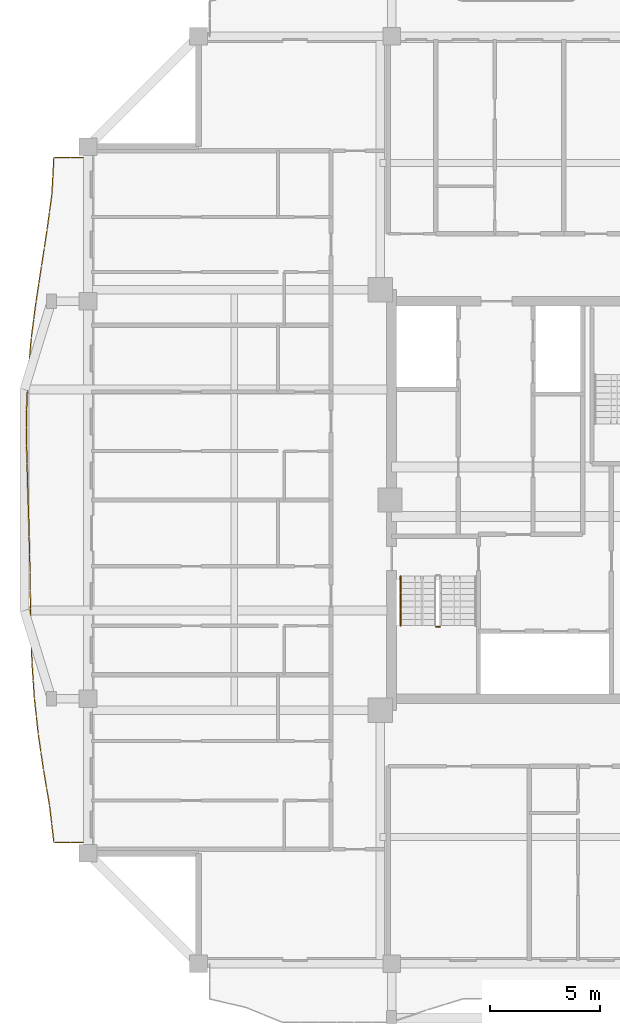
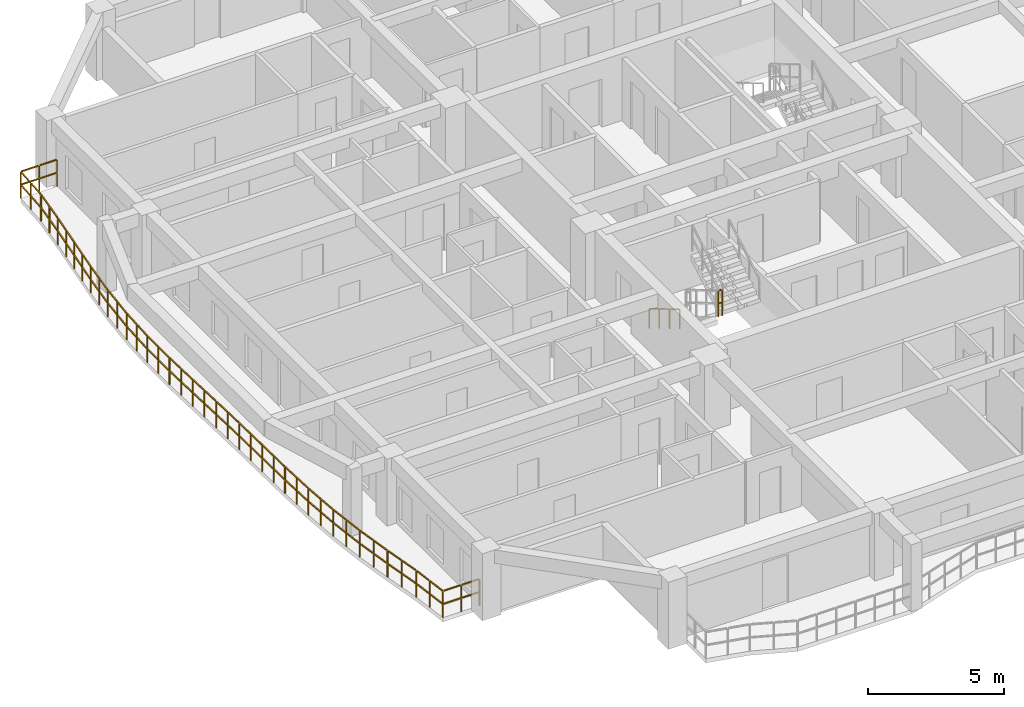
# One storey, part 10 of 13: 3 railings.
"""IFC4 building model written with IfcOpenShell, lengths in metres."""

from ifc_helpers import new_model, si_unit, direction, frame, origin, origin_2d, place, context, subcontext, project, spatial, rectangle, extrude, material, type_object, element, save


model = new_model("IFC4")

# Units and contexts
model_context = context("Model", 3, precision=1e-05, world=origin(), true_north=direction((0.0, 1.0)))
body_context = subcontext(model_context, "Body", "Model", "MODEL_VIEW")
ifc_project = project(units=[si_unit("LENGTHUNIT", "METRE"), si_unit("AREAUNIT", "SQUARE_METRE"), si_unit("VOLUMEUNIT", "CUBIC_METRE"), si_unit("PLANEANGLEUNIT", "RADIAN"), si_unit("MASSUNIT", "GRAM", prefix="KILO")], contexts=[model_context])

# Site, building, storey
site_placement = place(None, origin())
site = spatial("IfcSite", under=ifc_project, at=site_placement, CompositionType="ELEMENT")
building_placement = place(site_placement, origin())
building = spatial("IfcBuilding", under=site, at=building_placement, Name="Saelheon Loggia Tower", CompositionType="ELEMENT")
storey_placement = place(building_placement, frame((0.0, 0.0, 189.699951171875)))
storey = spatial("IfcBuildingStorey", under=building, at=storey_placement, Name="L59", CompositionType="ELEMENT", Elevation=189.699951171875)

# Railings
ifc_material_1 = material(Name="Architectural Precast Concrete and Laminated Glass Guard", Category="concrete")
railing_type_1 = type_object("IfcRailingType", Name="Guard_Loggia_RL_LOG", PredefinedType="BALUSTRADE", material=ifc_material_1)
railing_1_placement = place(storey_placement, frame((17.75, 42.5, 0.0)))
element("IfcRailing", 1, at=railing_1_placement, inside=storey, type_object=railing_type_1, Name="L59 West Loggia Balustrade", PredefinedType="BALUSTRADE", context=body_context, shape_type="SweptSolid", body=[
    extrude(rectangle(XDim=0.048095703125, YDim=0.048095703125, at=origin_2d()), frame((-0.033203125, 0.0, 1.19580078125), z_axis=(-1.0, 0.0, 0.0), x_axis=(0.0, -1.0, 0.0)), (0.0, 0.0, 1.0), 0.70849609375),
    extrude(rectangle(XDim=0.048095703125, YDim=0.048095703125, at=origin_2d()), frame((-0.033203125, 0.0, 0.60986328125), z_axis=(-1.0, 0.0, 0.0), x_axis=(0.0, -1.0, 0.0)), (0.0, 0.0, 1.0), 0.70849609375),
    extrude(rectangle(XDim=0.048095703125, YDim=0.048095703125, at=origin_2d()), frame((-0.808349609375, 0.0, 1.19580078125), z_axis=(-1.0, 0.0, 0.0), x_axis=(0.0, -1.0, 0.0)), (0.0, 0.0, 1.0), 0.70849609375),
    extrude(rectangle(XDim=0.048095703125, YDim=0.048095703125, at=origin_2d()), frame((-0.808349609375, 0.0, 0.60986328125), z_axis=(-1.0, 0.0, 0.0), x_axis=(0.0, -1.0, 0.0)), (0.0, 0.0, 1.0), 0.70849609375),
    extrude(rectangle(XDim=0.048095703125, YDim=0.048095703125, at=origin_2d()), frame((-1.5517578125, -0.033203125, 1.19580078125), z_axis=(-0.052598047159, -0.998615764664, 0.0), x_axis=(0.998615764664, -0.052598047159, 0.0)), (0.0, 0.0, 1.0), 0.75048828125),
    extrude(rectangle(XDim=0.048095703125, YDim=0.048095703125, at=origin_2d()), frame((-1.5517578125, -0.033203125, 0.60986328125), z_axis=(-0.052598047159, -0.998615764664, 0.0), x_axis=(0.998615764664, -0.052598047159, 0.0)), (0.0, 0.0, 1.0), 0.75048828125),
    extrude(rectangle(XDim=0.048095703125, YDim=0.048095703125, at=origin_2d()), frame((-1.5947265625, -0.848876953125, 1.19580078125), z_axis=(-0.052598047159, -0.998615764664, 0.0), x_axis=(0.998615764664, -0.052598047159, 0.0)), (0.0, 0.0, 1.0), 0.75048828125),
    extrude(rectangle(XDim=0.048095703125, YDim=0.048095703125, at=origin_2d()), frame((-1.5947265625, -0.848876953125, 0.60986328125), z_axis=(-0.052598047159, -0.998615764664, 0.0), x_axis=(0.998615764664, -0.052598047159, 0.0)), (0.0, 0.0, 1.0), 0.75048828125),
    extrude(rectangle(XDim=0.048095703125, YDim=0.048095703125, at=origin_2d()), frame((-1.640380859375, -1.66455078125, 1.19580078125), z_axis=(-0.134484591682, -0.99091568491, 0.0), x_axis=(0.99091568491, -0.134484591682, 0.0)), (0.0, 0.0, 1.0), 0.7568359375),
    extrude(rectangle(XDim=0.048095703125, YDim=0.048095703125, at=origin_2d()), frame((-1.640380859375, -1.66455078125, 0.60986328125), z_axis=(-0.134484591682, -0.99091568491, 0.0), x_axis=(0.99091568491, -0.134484591682, 0.0)), (0.0, 0.0, 1.0), 0.7568359375),
    extrude(rectangle(XDim=0.048095703125, YDim=0.048095703125, at=origin_2d()), frame((-1.751220703125, -2.480224609375, 1.19580078125), z_axis=(-0.134484591682, -0.99091568491, 0.0), x_axis=(0.99091568491, -0.134484591682, 0.0)), (0.0, 0.0, 1.0), 0.7568359375),
    extrude(rectangle(XDim=0.048095703125, YDim=0.048095703125, at=origin_2d()), frame((-1.751220703125, -2.480224609375, 0.60986328125), z_axis=(-0.134484591682, -0.99091568491, 0.0), x_axis=(0.99091568491, -0.134484591682, 0.0)), (0.0, 0.0, 1.0), 0.7568359375),
    extrude(rectangle(XDim=0.048095703125, YDim=0.048095703125, at=origin_2d()), frame((-1.862548828125, -3.296142578125, 1.19580078125), z_axis=(-0.152323888709, -0.988330629359, 0.0), x_axis=(0.988330629359, -0.152323888709, 0.0)), (0.0, 0.0, 1.0), 0.759033203125),
    extrude(rectangle(XDim=0.048095703125, YDim=0.048095703125, at=origin_2d()), frame((-1.862548828125, -3.296142578125, 0.60986328125), z_axis=(-0.152323888709, -0.988330629359, 0.0), x_axis=(0.988330629359, -0.152323888709, 0.0)), (0.0, 0.0, 1.0), 0.759033203125),
    extrude(rectangle(XDim=0.048095703125, YDim=0.048095703125, at=origin_2d()), frame((-1.98828125, -4.11181640625, 1.19580078125), z_axis=(-0.152323888709, -0.988330629359, 0.0), x_axis=(0.988330629359, -0.152323888709, 0.0)), (0.0, 0.0, 1.0), 0.759033203125),
    extrude(rectangle(XDim=0.048095703125, YDim=0.048095703125, at=origin_2d()), frame((-1.98828125, -4.11181640625, 0.60986328125), z_axis=(-0.152323888709, -0.988330629359, 0.0), x_axis=(0.988330629359, -0.152323888709, 0.0)), (0.0, 0.0, 1.0), 0.759033203125),
    extrude(rectangle(XDim=0.048095703125, YDim=0.048095703125, at=origin_2d()), frame((-2.114013671875, -4.927734375, 1.19580078125), z_axis=(-0.151601487322, -0.988441697341, 0.0), x_axis=(0.988441697341, -0.151601487322, 0.0)), (0.0, 0.0, 1.0), 0.7587890625),
    extrude(rectangle(XDim=0.048095703125, YDim=0.048095703125, at=origin_2d()), frame((-2.114013671875, -4.927734375, 0.60986328125), z_axis=(-0.151601487322, -0.988441697341, 0.0), x_axis=(0.988441697341, -0.151601487322, 0.0)), (0.0, 0.0, 1.0), 0.7587890625),
    extrude(rectangle(XDim=0.048095703125, YDim=0.048095703125, at=origin_2d()), frame((-2.239013671875, -5.743408203125, 1.19580078125), z_axis=(-0.151601487322, -0.988441697341, 0.0), x_axis=(0.988441697341, -0.151601487322, 0.0)), (0.0, 0.0, 1.0), 0.7587890625),
    extrude(rectangle(XDim=0.048095703125, YDim=0.048095703125, at=origin_2d()), frame((-2.239013671875, -5.743408203125, 0.60986328125), z_axis=(-0.151601487322, -0.988441697341, 0.0), x_axis=(0.988441697341, -0.151601487322, 0.0)), (0.0, 0.0, 1.0), 0.7587890625),
    extrude(rectangle(XDim=0.048095703125, YDim=0.048095703125, at=origin_2d()), frame((-2.363525390625, -6.559326171875, 1.19580078125), z_axis=(-0.128945873012, -0.991651633303, 0.0), x_axis=(0.991651633303, -0.128945873012, 0.0)), (0.0, 0.0, 1.0), 0.756103515625),
    extrude(rectangle(XDim=0.048095703125, YDim=0.048095703125, at=origin_2d()), frame((-2.363525390625, -6.559326171875, 0.60986328125), z_axis=(-0.128945873012, -0.991651633303, 0.0), x_axis=(0.991651633303, -0.128945873012, 0.0)), (0.0, 0.0, 1.0), 0.756103515625),
    extrude(rectangle(XDim=0.048095703125, YDim=0.048095703125, at=origin_2d()), frame((-2.469482421875, -7.375, 1.19580078125), z_axis=(-0.128945873012, -0.991651633303, 0.0), x_axis=(0.991651633303, -0.128945873012, 0.0)), (0.0, 0.0, 1.0), 0.756103515625),
    extrude(rectangle(XDim=0.048095703125, YDim=0.048095703125, at=origin_2d()), frame((-2.469482421875, -7.375, 0.60986328125), z_axis=(-0.128945873012, -0.991651633303, 0.0), x_axis=(0.991651633303, -0.128945873012, 0.0)), (0.0, 0.0, 1.0), 0.756103515625),
    extrude(rectangle(XDim=0.048095703125, YDim=0.048095703125, at=origin_2d()), frame((-2.57421875, -8.191162109375, 1.19580078125), z_axis=(-0.088237451096, -0.996099469041, 0.0), x_axis=(0.996099469041, -0.088237451096, 0.0)), (0.0, 0.0, 1.0), 0.75244140625),
    extrude(rectangle(XDim=0.048095703125, YDim=0.048095703125, at=origin_2d()), frame((-2.57421875, -8.191162109375, 0.60986328125), z_axis=(-0.088237451096, -0.996099469041, 0.0), x_axis=(0.996099469041, -0.088237451096, 0.0)), (0.0, 0.0, 1.0), 0.75244140625),
    extrude(rectangle(XDim=0.048095703125, YDim=0.048095703125, at=origin_2d()), frame((-2.646484375, -9.0068359375, 1.19580078125), z_axis=(-0.088237451096, -0.996099469041, 0.0), x_axis=(0.996099469041, -0.088237451096, 0.0)), (0.0, 0.0, 1.0), 0.75244140625),
    extrude(rectangle(XDim=0.048095703125, YDim=0.048095703125, at=origin_2d()), frame((-2.646484375, -9.0068359375, 0.60986328125), z_axis=(-0.088237451096, -0.996099469041, 0.0), x_axis=(0.996099469041, -0.088237451096, 0.0)), (0.0, 0.0, 1.0), 0.75244140625),
    extrude(rectangle(XDim=0.048095703125, YDim=0.048095703125, at=origin_2d()), frame((-2.71728515625, -9.82275390625, 1.19580078125), z_axis=(-0.040666615849, -0.999172771024, 0.0), x_axis=(0.999172771024, -0.040666615849, 0.0)), (0.0, 0.0, 1.0), 0.75),
    extrude(rectangle(XDim=0.048095703125, YDim=0.048095703125, at=origin_2d()), frame((-2.71728515625, -9.82275390625, 0.60986328125), z_axis=(-0.040666615849, -0.999172771024, 0.0), x_axis=(0.999172771024, -0.040666615849, 0.0)), (0.0, 0.0, 1.0), 0.75),
    extrude(rectangle(XDim=0.048095703125, YDim=0.048095703125, at=origin_2d()), frame((-2.75048828125, -10.638671875, 1.19580078125), z_axis=(-0.040666615849, -0.999172771024, 0.0), x_axis=(0.999172771024, -0.040666615849, 0.0)), (0.0, 0.0, 1.0), 0.75),
    extrude(rectangle(XDim=0.048095703125, YDim=0.048095703125, at=origin_2d()), frame((-2.75048828125, -10.638671875, 0.60986328125), z_axis=(-0.040666615849, -0.999172771024, 0.0), x_axis=(0.999172771024, -0.040666615849, 0.0)), (0.0, 0.0, 1.0), 0.75),
    extrude(rectangle(XDim=0.048095703125, YDim=0.048095703125, at=origin_2d()), frame((-2.7822265625, -11.454345703125, 1.19580078125), z_axis=(0.000748278749, -0.999999720039, 0.0), x_axis=(0.999999720039, 0.000748278749, 0.0)), (0.0, 0.0, 1.0), 0.749267578125),
    extrude(rectangle(XDim=0.048095703125, YDim=0.048095703125, at=origin_2d()), frame((-2.7822265625, -11.454345703125, 0.60986328125), z_axis=(0.000748278749, -0.999999720039, 0.0), x_axis=(0.999999720039, 0.000748278749, 0.0)), (0.0, 0.0, 1.0), 0.749267578125),
    extrude(rectangle(XDim=0.048095703125, YDim=0.048095703125, at=origin_2d()), frame((-2.781494140625, -12.27001953125, 1.19580078125), z_axis=(0.000748278749, -0.999999720039, 0.0), x_axis=(0.999999720039, 0.000748278749, 0.0)), (0.0, 0.0, 1.0), 0.749267578125),
    extrude(rectangle(XDim=0.048095703125, YDim=0.048095703125, at=origin_2d()), frame((-2.781494140625, -12.27001953125, 0.60986328125), z_axis=(0.000748278749, -0.999999720039, 0.0), x_axis=(0.999999720039, 0.000748278749, 0.0)), (0.0, 0.0, 1.0), 0.749267578125),
    extrude(rectangle(XDim=0.048095703125, YDim=0.048095703125, at=origin_2d()), frame((-2.780029296875, -13.085693359375, 1.19580078125), z_axis=(0.026027390997, -0.999661230076, 0.0), x_axis=(0.999661230076, 0.026027390997, 0.0)), (0.0, 0.0, 1.0), 0.74951171875),
    extrude(rectangle(XDim=0.048095703125, YDim=0.048095703125, at=origin_2d()), frame((-2.780029296875, -13.085693359375, 0.60986328125), z_axis=(0.026027390997, -0.999661230076, 0.0), x_axis=(0.999661230076, 0.026027390997, 0.0)), (0.0, 0.0, 1.0), 0.74951171875),
    extrude(rectangle(XDim=0.048095703125, YDim=0.048095703125, at=origin_2d()), frame((-2.7587890625, -13.901611328125, 1.19580078125), z_axis=(0.026027390997, -0.999661230076, 0.0), x_axis=(0.999661230076, 0.026027390997, 0.0)), (0.0, 0.0, 1.0), 0.74951171875),
    extrude(rectangle(XDim=0.048095703125, YDim=0.048095703125, at=origin_2d()), frame((-2.7587890625, -13.901611328125, 0.60986328125), z_axis=(0.026027390997, -0.999661230076, 0.0), x_axis=(0.999661230076, 0.026027390997, 0.0)), (0.0, 0.0, 1.0), 0.74951171875),
    extrude(rectangle(XDim=0.048095703125, YDim=0.048095703125, at=origin_2d()), frame((-2.737548828125, -14.71728515625, 1.19580078125), z_axis=(0.032149739476, -0.999483063514, 0.0), x_axis=(0.999483063514, 0.032149739476, 0.0)), (0.0, 0.0, 1.0), 0.749755859375),
    extrude(rectangle(XDim=0.048095703125, YDim=0.048095703125, at=origin_2d()), frame((-2.737548828125, -14.71728515625, 0.60986328125), z_axis=(0.032149739476, -0.999483063514, 0.0), x_axis=(0.999483063514, 0.032149739476, 0.0)), (0.0, 0.0, 1.0), 0.749755859375),
    extrude(rectangle(XDim=0.048095703125, YDim=0.048095703125, at=origin_2d()), frame((-2.711181640625, -15.533203125, 1.19580078125), z_axis=(0.032149739476, -0.999483063514, 0.0), x_axis=(0.999483063514, 0.032149739476, 0.0)), (0.0, 0.0, 1.0), 0.749755859375),
    extrude(rectangle(XDim=0.048095703125, YDim=0.048095703125, at=origin_2d()), frame((-2.711181640625, -15.533203125, 0.60986328125), z_axis=(0.032149739476, -0.999483063514, 0.0), x_axis=(0.999483063514, 0.032149739476, 0.0)), (0.0, 0.0, 1.0), 0.749755859375),
    extrude(rectangle(XDim=0.048095703125, YDim=0.048095703125, at=origin_2d()), frame((-2.685302734375, -16.34912109375, 1.19580078125), z_axis=(0.024980979164, -0.999687926645, 0.0), x_axis=(0.999687926645, 0.024980979164, 0.0)), (0.0, 0.0, 1.0), 0.74951171875),
    extrude(rectangle(XDim=0.048095703125, YDim=0.048095703125, at=origin_2d()), frame((-2.685302734375, -16.34912109375, 0.60986328125), z_axis=(0.024980979164, -0.999687926645, 0.0), x_axis=(0.999687926645, 0.024980979164, 0.0)), (0.0, 0.0, 1.0), 0.74951171875),
    extrude(rectangle(XDim=0.048095703125, YDim=0.048095703125, at=origin_2d()), frame((-2.664794921875, -17.1650390625, 1.19580078125), z_axis=(0.024980979164, -0.999687926645, 0.0), x_axis=(0.999687926645, 0.024980979164, 0.0)), (0.0, 0.0, 1.0), 0.74951171875),
    extrude(rectangle(XDim=0.048095703125, YDim=0.048095703125, at=origin_2d()), frame((-2.664794921875, -17.1650390625, 0.60986328125), z_axis=(0.024980979164, -0.999687926645, 0.0), x_axis=(0.999687926645, 0.024980979164, 0.0)), (0.0, 0.0, 1.0), 0.74951171875),
    extrude(rectangle(XDim=0.048095703125, YDim=0.048095703125, at=origin_2d()), frame((-2.644775390625, -17.980712890625, 1.19580078125), z_axis=(0.015562317507, -0.999878899804, 0.0), x_axis=(0.999878899804, 0.015562317507, 0.0)), (0.0, 0.0, 1.0), 0.749267578125),
    extrude(rectangle(XDim=0.048095703125, YDim=0.048095703125, at=origin_2d()), frame((-2.644775390625, -17.980712890625, 0.60986328125), z_axis=(0.015562317507, -0.999878899804, 0.0), x_axis=(0.999878899804, 0.015562317507, 0.0)), (0.0, 0.0, 1.0), 0.749267578125),
    extrude(rectangle(XDim=0.048095703125, YDim=0.048095703125, at=origin_2d()), frame((-2.632080078125, -18.79638671875, 1.19580078125), z_axis=(0.015562317507, -0.999878899804, 0.0), x_axis=(0.999878899804, 0.015562317507, 0.0)), (0.0, 0.0, 1.0), 0.749267578125),
    extrude(rectangle(XDim=0.048095703125, YDim=0.048095703125, at=origin_2d()), frame((-2.632080078125, -18.79638671875, 0.60986328125), z_axis=(0.015562317507, -0.999878899804, 0.0), x_axis=(0.999878899804, 0.015562317507, 0.0)), (0.0, 0.0, 1.0), 0.749267578125),
    extrude(rectangle(XDim=0.048095703125, YDim=0.048095703125, at=origin_2d()), frame((-2.619384765625, -19.612060546875, 1.19580078125), z_axis=(0.015559989428, -0.999878936036, 0.0), x_axis=(0.999878936036, 0.015559989428, 0.0)), (0.0, 0.0, 1.0), 0.74951171875),
    extrude(rectangle(XDim=0.048095703125, YDim=0.048095703125, at=origin_2d()), frame((-2.619384765625, -19.612060546875, 0.60986328125), z_axis=(0.015559989428, -0.999878936036, 0.0), x_axis=(0.999878936036, 0.015559989428, 0.0)), (0.0, 0.0, 1.0), 0.74951171875),
    extrude(rectangle(XDim=0.048095703125, YDim=0.048095703125, at=origin_2d()), frame((-2.606689453125, -20.427978515625, 1.19580078125), z_axis=(0.015559989428, -0.999878936036, 0.0), x_axis=(0.999878936036, 0.015559989428, 0.0)), (0.0, 0.0, 1.0), 0.74951171875),
    extrude(rectangle(XDim=0.048095703125, YDim=0.048095703125, at=origin_2d()), frame((-2.606689453125, -20.427978515625, 0.60986328125), z_axis=(0.015559989428, -0.999878936036, 0.0), x_axis=(0.999878936036, 0.015559989428, 0.0)), (0.0, 0.0, 1.0), 0.74951171875),
    extrude(rectangle(XDim=0.048095703125, YDim=0.048095703125, at=origin_2d()), frame((-2.593505859375, -21.24365234375, 1.19580078125), z_axis=(0.032453343645, -0.999473251511, 0.0), x_axis=(0.999473251511, 0.032453343645, 0.0)), (0.0, 0.0, 1.0), 0.749755859375),
    extrude(rectangle(XDim=0.048095703125, YDim=0.048095703125, at=origin_2d()), frame((-2.593505859375, -21.24365234375, 0.60986328125), z_axis=(0.032453343645, -0.999473251511, 0.0), x_axis=(0.999473251511, 0.032453343645, 0.0)), (0.0, 0.0, 1.0), 0.749755859375),
    extrude(rectangle(XDim=0.048095703125, YDim=0.048095703125, at=origin_2d()), frame((-2.56689453125, -22.0595703125, 1.19580078125), z_axis=(0.032453343645, -0.999473251511, 0.0), x_axis=(0.999473251511, 0.032453343645, 0.0)), (0.0, 0.0, 1.0), 0.749755859375),
    extrude(rectangle(XDim=0.048095703125, YDim=0.048095703125, at=origin_2d()), frame((-2.56689453125, -22.0595703125, 0.60986328125), z_axis=(0.032453343645, -0.999473251511, 0.0), x_axis=(0.999473251511, 0.032453343645, 0.0)), (0.0, 0.0, 1.0), 0.749755859375),
    extrude(rectangle(XDim=0.048095703125, YDim=0.048095703125, at=origin_2d()), frame((-2.539306640625, -22.875244140625, 1.19580078125), z_axis=(0.066142438238, -0.997810191301, 0.0), x_axis=(0.997810191301, 0.066142438238, 0.0)), (0.0, 0.0, 1.0), 0.751220703125),
    extrude(rectangle(XDim=0.048095703125, YDim=0.048095703125, at=origin_2d()), frame((-2.539306640625, -22.875244140625, 0.60986328125), z_axis=(0.066142438238, -0.997810191301, 0.0), x_axis=(0.997810191301, 0.066142438238, 0.0)), (0.0, 0.0, 1.0), 0.751220703125),
    extrude(rectangle(XDim=0.048095703125, YDim=0.048095703125, at=origin_2d()), frame((-2.485107421875, -23.69091796875, 1.19580078125), z_axis=(0.066142438238, -0.997810191301, 0.0), x_axis=(0.997810191301, 0.066142438238, 0.0)), (0.0, 0.0, 1.0), 0.751220703125),
    extrude(rectangle(XDim=0.048095703125, YDim=0.048095703125, at=origin_2d()), frame((-2.485107421875, -23.69091796875, 0.60986328125), z_axis=(0.066142438238, -0.997810191301, 0.0), x_axis=(0.997810191301, 0.066142438238, 0.0)), (0.0, 0.0, 1.0), 0.751220703125),
    extrude(rectangle(XDim=0.048095703125, YDim=0.048095703125, at=origin_2d()), frame((-2.4296875, -24.506591796875, 1.19580078125), z_axis=(0.107998454426, -0.994151061882, 0.0), x_axis=(0.994151061882, 0.107998454426, 0.0)), (0.0, 0.0, 1.0), 0.754150390625),
    extrude(rectangle(XDim=0.048095703125, YDim=0.048095703125, at=origin_2d()), frame((-2.4296875, -24.506591796875, 0.60986328125), z_axis=(0.107998454426, -0.994151061882, 0.0), x_axis=(0.994151061882, 0.107998454426, 0.0)), (0.0, 0.0, 1.0), 0.754150390625),
    extrude(rectangle(XDim=0.048095703125, YDim=0.048095703125, at=origin_2d()), frame((-2.341064453125, -25.322509765625, 1.19580078125), z_axis=(0.107998454426, -0.994151061882, 0.0), x_axis=(0.994151061882, 0.107998454426, 0.0)), (0.0, 0.0, 1.0), 0.754150390625),
    extrude(rectangle(XDim=0.048095703125, YDim=0.048095703125, at=origin_2d()), frame((-2.341064453125, -25.322509765625, 0.60986328125), z_axis=(0.107998454426, -0.994151061882, 0.0), x_axis=(0.994151061882, 0.107998454426, 0.0)), (0.0, 0.0, 1.0), 0.754150390625),
    extrude(rectangle(XDim=0.048095703125, YDim=0.048095703125, at=origin_2d()), frame((-2.251220703125, -26.13818359375, 1.19580078125), z_axis=(0.145378914052, -0.989376051534, 0.0), x_axis=(0.989376051534, 0.145378914052, 0.0)), (0.0, 0.0, 1.0), 0.758056640625),
    extrude(rectangle(XDim=0.048095703125, YDim=0.048095703125, at=origin_2d()), frame((-2.251220703125, -26.13818359375, 0.60986328125), z_axis=(0.145378914052, -0.989376051534, 0.0), x_axis=(0.989376051534, 0.145378914052, 0.0)), (0.0, 0.0, 1.0), 0.758056640625),
    extrude(rectangle(XDim=0.048095703125, YDim=0.048095703125, at=origin_2d()), frame((-2.13134765625, -26.953857421875, 1.19580078125), z_axis=(0.145378914052, -0.989376051534, 0.0), x_axis=(0.989376051534, 0.145378914052, 0.0)), (0.0, 0.0, 1.0), 0.758056640625),
    extrude(rectangle(XDim=0.048095703125, YDim=0.048095703125, at=origin_2d()), frame((-2.13134765625, -26.953857421875, 0.60986328125), z_axis=(0.145378914052, -0.989376051534, 0.0), x_axis=(0.989376051534, 0.145378914052, 0.0)), (0.0, 0.0, 1.0), 0.758056640625),
    extrude(rectangle(XDim=0.048095703125, YDim=0.048095703125, at=origin_2d()), frame((-2.0107421875, -27.76953125, 1.19580078125), z_axis=(0.166719283861, -0.98600440181, 0.0), x_axis=(0.98600440181, 0.166719283861, 0.0)), (0.0, 0.0, 1.0), 0.760986328125),
    extrude(rectangle(XDim=0.048095703125, YDim=0.048095703125, at=origin_2d()), frame((-2.0107421875, -27.76953125, 0.60986328125), z_axis=(0.166719283861, -0.98600440181, 0.0), x_axis=(0.98600440181, 0.166719283861, 0.0)), (0.0, 0.0, 1.0), 0.760986328125),
    extrude(rectangle(XDim=0.048095703125, YDim=0.048095703125, at=origin_2d()), frame((-1.872802734375, -28.58544921875, 1.19580078125), z_axis=(0.166719283861, -0.98600440181, 0.0), x_axis=(0.98600440181, 0.166719283861, 0.0)), (0.0, 0.0, 1.0), 0.760986328125),
    extrude(rectangle(XDim=0.048095703125, YDim=0.048095703125, at=origin_2d()), frame((-1.872802734375, -28.58544921875, 0.60986328125), z_axis=(0.166719283861, -0.98600440181, 0.0), x_axis=(0.98600440181, 0.166719283861, 0.0)), (0.0, 0.0, 1.0), 0.760986328125),
    extrude(rectangle(XDim=0.048095703125, YDim=0.048095703125, at=origin_2d()), frame((-1.736572265625, -29.4013671875, 1.19580078125), z_axis=(0.11592713187, -0.993257720884, 0.0), x_axis=(0.993257720884, 0.11592713187, 0.0)), (0.0, 0.0, 1.0), 0.7548828125),
    extrude(rectangle(XDim=0.048095703125, YDim=0.048095703125, at=origin_2d()), frame((-1.736572265625, -29.4013671875, 0.60986328125), z_axis=(0.11592713187, -0.993257720884, 0.0), x_axis=(0.993257720884, 0.11592713187, 0.0)), (0.0, 0.0, 1.0), 0.7548828125),
    extrude(rectangle(XDim=0.048095703125, YDim=0.048095703125, at=origin_2d()), frame((-1.641357421875, -30.21728515625, 1.19580078125), z_axis=(0.11592713187, -0.993257720884, 0.0), x_axis=(0.993257720884, 0.11592713187, 0.0)), (0.0, 0.0, 1.0), 0.7548828125),
    extrude(rectangle(XDim=0.048095703125, YDim=0.048095703125, at=origin_2d()), frame((-1.641357421875, -30.21728515625, 0.60986328125), z_axis=(0.11592713187, -0.993257720884, 0.0), x_axis=(0.993257720884, 0.11592713187, 0.0)), (0.0, 0.0, 1.0), 0.7548828125),
    extrude(rectangle(XDim=0.048095703125, YDim=0.048095703125, at=origin_2d()), frame((-1.516845703125, -31.0, 1.19580078125), z_axis=(1.0, 0.0, 0.0), x_axis=(0.0, 1.0, 0.0)), (0.0, 0.0, 1.0), 0.70849609375),
    extrude(rectangle(XDim=0.048095703125, YDim=0.048095703125, at=origin_2d()), frame((-1.516845703125, -31.0, 0.60986328125), z_axis=(1.0, 0.0, 0.0), x_axis=(0.0, 1.0, 0.0)), (0.0, 0.0, 1.0), 0.70849609375),
    extrude(rectangle(XDim=0.048095703125, YDim=0.048095703125, at=origin_2d()), frame((-0.74169921875, -31.0, 1.19580078125), z_axis=(1.0, 0.0, 0.0), x_axis=(0.0, 1.0, 0.0)), (0.0, 0.0, 1.0), 0.70849609375),
    extrude(rectangle(XDim=0.048095703125, YDim=0.048095703125, at=origin_2d()), frame((-0.74169921875, -31.0, 0.60986328125), z_axis=(1.0, 0.0, 0.0), x_axis=(0.0, 1.0, 0.0)), (0.0, 0.0, 1.0), 0.70849609375),
    extrude(rectangle(XDim=0.0419921875, YDim=0.0419921875, at=origin_2d()), origin(), (0.0, 0.0, 1.0), 1.16796875),
    extrude(rectangle(XDim=0.0419921875, YDim=0.0419921875, at=origin_2d()), frame((-0.77490234375, 0.0, 0.0)), (0.0, 0.0, 1.0), 1.16796875),
    extrude(rectangle(XDim=0.0419921875, YDim=0.0419921875, at=origin_2d()), frame((-1.550048828125, 0.0, 0.0)), (0.0, 0.0, 1.0), 1.16796875),
    extrude(rectangle(XDim=0.0419921875, YDim=0.0419921875, at=origin_2d()), frame((-1.593017578125, -0.81591796875, 0.0)), (0.0, 0.0, 1.0), 1.16796875),
    extrude(rectangle(XDim=0.0419921875, YDim=0.0419921875, at=origin_2d()), frame((-1.635986328125, -1.631591796875, 0.0)), (0.0, 0.0, 1.0), 1.16796875),
    extrude(rectangle(XDim=0.0419921875, YDim=0.0419921875, at=origin_2d()), frame((-1.74658203125, -2.447265625, 0.0)), (0.0, 0.0, 1.0), 1.16796875),
    extrude(rectangle(XDim=0.0419921875, YDim=0.0419921875, at=origin_2d()), frame((-1.857421875, -3.26318359375, 0.0)), (0.0, 0.0, 1.0), 1.16796875),
    extrude(rectangle(XDim=0.0419921875, YDim=0.0419921875, at=origin_2d()), frame((-1.983154296875, -4.0791015625, 0.0)), (0.0, 0.0, 1.0), 1.16796875),
    extrude(rectangle(XDim=0.0419921875, YDim=0.0419921875, at=origin_2d()), frame((-2.10888671875, -4.894775390625, 0.0)), (0.0, 0.0, 1.0), 1.16796875),
    extrude(rectangle(XDim=0.0419921875, YDim=0.0419921875, at=origin_2d()), frame((-2.23388671875, -5.71044921875, 0.0)), (0.0, 0.0, 1.0), 1.16796875),
    extrude(rectangle(XDim=0.0419921875, YDim=0.0419921875, at=origin_2d()), frame((-2.359130859375, -6.5263671875, 0.0)), (0.0, 0.0, 1.0), 1.16796875),
    extrude(rectangle(XDim=0.0419921875, YDim=0.0419921875, at=origin_2d()), frame((-2.46533203125, -7.34228515625, 0.0)), (0.0, 0.0, 1.0), 1.16796875),
    extrude(rectangle(XDim=0.0419921875, YDim=0.0419921875, at=origin_2d()), frame((-2.5712890625, -8.157958984375, 0.0)), (0.0, 0.0, 1.0), 1.16796875),
    extrude(rectangle(XDim=0.0419921875, YDim=0.0419921875, at=origin_2d()), frame((-2.6435546875, -8.9736328125, 0.0)), (0.0, 0.0, 1.0), 1.16796875),
    extrude(rectangle(XDim=0.0419921875, YDim=0.0419921875, at=origin_2d()), frame((-2.7158203125, -9.78955078125, 0.0)), (0.0, 0.0, 1.0), 1.16796875),
    extrude(rectangle(XDim=0.0419921875, YDim=0.0419921875, at=origin_2d()), frame((-2.7490234375, -10.60546875, 0.0)), (0.0, 0.0, 1.0), 1.16796875),
    extrude(rectangle(XDim=0.0419921875, YDim=0.0419921875, at=origin_2d()), frame((-2.7822265625, -11.421142578125, 0.0)), (0.0, 0.0, 1.0), 1.16796875),
    extrude(rectangle(XDim=0.0419921875, YDim=0.0419921875, at=origin_2d()), frame((-2.78173828125, -12.23681640625, 0.0)), (0.0, 0.0, 1.0), 1.16796875),
    extrude(rectangle(XDim=0.0419921875, YDim=0.0419921875, at=origin_2d()), frame((-2.781005859375, -13.052490234375, 0.0)), (0.0, 0.0, 1.0), 1.16796875),
    extrude(rectangle(XDim=0.0419921875, YDim=0.0419921875, at=origin_2d()), frame((-2.759765625, -13.8681640625, 0.0)), (0.0, 0.0, 1.0), 1.16796875),
    extrude(rectangle(XDim=0.0419921875, YDim=0.0419921875, at=origin_2d()), frame((-2.738525390625, -14.68408203125, 0.0)), (0.0, 0.0, 1.0), 1.16796875),
    extrude(rectangle(XDim=0.0419921875, YDim=0.0419921875, at=origin_2d()), frame((-2.71240234375, -15.5, 0.0)), (0.0, 0.0, 1.0), 1.16796875),
    extrude(rectangle(XDim=0.0419921875, YDim=0.0419921875, at=origin_2d()), frame((-2.68603515625, -16.31591796875, 0.0)), (0.0, 0.0, 1.0), 1.16796875),
    extrude(rectangle(XDim=0.0419921875, YDim=0.0419921875, at=origin_2d()), frame((-2.66552734375, -17.1318359375, 0.0)), (0.0, 0.0, 1.0), 1.16796875),
    extrude(rectangle(XDim=0.0419921875, YDim=0.0419921875, at=origin_2d()), frame((-2.645263671875, -17.947509765625, 0.0)), (0.0, 0.0, 1.0), 1.16796875),
    extrude(rectangle(XDim=0.0419921875, YDim=0.0419921875, at=origin_2d()), frame((-2.632568359375, -18.76318359375, 0.0)), (0.0, 0.0, 1.0), 1.16796875),
    extrude(rectangle(XDim=0.0419921875, YDim=0.0419921875, at=origin_2d()), frame((-2.619873046875, -19.578857421875, 0.0)), (0.0, 0.0, 1.0), 1.16796875),
    extrude(rectangle(XDim=0.0419921875, YDim=0.0419921875, at=origin_2d()), frame((-2.607177734375, -20.39453125, 0.0)), (0.0, 0.0, 1.0), 1.16796875),
    extrude(rectangle(XDim=0.0419921875, YDim=0.0419921875, at=origin_2d()), frame((-2.594482421875, -21.21044921875, 0.0)), (0.0, 0.0, 1.0), 1.16796875),
    extrude(rectangle(XDim=0.0419921875, YDim=0.0419921875, at=origin_2d()), frame((-2.56787109375, -22.0263671875, 0.0)), (0.0, 0.0, 1.0), 1.16796875),
    extrude(rectangle(XDim=0.0419921875, YDim=0.0419921875, at=origin_2d()), frame((-2.54150390625, -22.842041015625, 0.0)), (0.0, 0.0, 1.0), 1.16796875),
    extrude(rectangle(XDim=0.0419921875, YDim=0.0419921875, at=origin_2d()), frame((-2.4873046875, -23.65771484375, 0.0)), (0.0, 0.0, 1.0), 1.16796875),
    extrude(rectangle(XDim=0.0419921875, YDim=0.0419921875, at=origin_2d()), frame((-2.433349609375, -24.4736328125, 0.0)), (0.0, 0.0, 1.0), 1.16796875),
    extrude(rectangle(XDim=0.0419921875, YDim=0.0419921875, at=origin_2d()), frame((-2.3447265625, -25.28955078125, 0.0)), (0.0, 0.0, 1.0), 1.16796875),
    extrude(rectangle(XDim=0.0419921875, YDim=0.0419921875, at=origin_2d()), frame((-2.256103515625, -26.105224609375, 0.0)), (0.0, 0.0, 1.0), 1.16796875),
    extrude(rectangle(XDim=0.0419921875, YDim=0.0419921875, at=origin_2d()), frame((-2.13623046875, -26.9208984375, 0.0)), (0.0, 0.0, 1.0), 1.16796875),
    extrude(rectangle(XDim=0.0419921875, YDim=0.0419921875, at=origin_2d()), frame((-2.016357421875, -27.73681640625, 0.0)), (0.0, 0.0, 1.0), 1.16796875),
    extrude(rectangle(XDim=0.0419921875, YDim=0.0419921875, at=origin_2d()), frame((-1.87841796875, -28.552734375, 0.0)), (0.0, 0.0, 1.0), 1.16796875),
    extrude(rectangle(XDim=0.0419921875, YDim=0.0419921875, at=origin_2d()), frame((-1.740478515625, -29.368408203125, 0.0)), (0.0, 0.0, 1.0), 1.16796875),
    extrude(rectangle(XDim=0.0419921875, YDim=0.0419921875, at=origin_2d()), frame((-1.645263671875, -30.18408203125, 0.0)), (0.0, 0.0, 1.0), 1.16796875),
    extrude(rectangle(XDim=0.0419921875, YDim=0.0419921875, at=origin_2d()), frame((-1.550048828125, -31.0, 0.0)), (0.0, 0.0, 1.0), 1.16796875),
    extrude(rectangle(XDim=0.0419921875, YDim=0.0419921875, at=origin_2d()), frame((-0.77490234375, -31.0, 0.0)), (0.0, 0.0, 1.0), 1.16796875),
    extrude(rectangle(XDim=0.0419921875, YDim=0.0419921875, at=origin_2d()), frame((0.0, -31.0, 0.0)), (0.0, 0.0, 1.0), 1.16796875),
])
ifc_material_2 = material(Name="Galvanised Steel S275 Stairwell Guardrail", Category="steel")
railing_type_2 = type_object("IfcRailingType", Name="Guard_StairWell_RL_STG", PredefinedType="GUARDRAIL", material=ifc_material_2)
railing_2_placement = place(storey_placement, frame((33.510009765625, 21.260009765625, 1.5)))
element("IfcRailing", 2, at=railing_2_placement, inside=storey, type_object=railing_type_2, Name="L59 ST1 stair guard 2", PredefinedType="GUARDRAIL", context=body_context, shape_type="SweptSolid", body=[
    extrude(rectangle(XDim=0.048095703125, YDim=0.048095703125, at=origin_2d()), frame((0.033203125, 0.0, 1.17578125), z_axis=(1.0, 0.0, 0.0), x_axis=(0.0, 1.0, 0.0)), (0.0, 0.0, 1.0), 0.093505859375),
    extrude(rectangle(XDim=0.048095703125, YDim=0.048095703125, at=origin_2d()), frame((0.033203125, 0.0, 0.60009765625), z_axis=(1.0, 0.0, 0.0), x_axis=(0.0, 1.0, 0.0)), (0.0, 0.0, 1.0), 0.093505859375),
    extrude(rectangle(XDim=0.0419921875, YDim=0.0419921875, at=origin_2d()), origin(), (0.0, 0.0, 1.0), 1.14794921875),
    extrude(rectangle(XDim=0.0419921875, YDim=0.0419921875, at=origin_2d()), frame((0.159912109375, 0.0, 0.0)), (0.0, 0.0, 1.0), 1.14794921875),
])
ifc_material_3 = material(Name="Stainless Steel 304 Tubular Handrail", Category="steel")
railing_type_3 = type_object("IfcRailingType", Name="Handrail_Stair_RL_HR1", PredefinedType="HANDRAIL", material=ifc_material_3)
railing_3_placement = place(storey_placement, frame((31.89990234375, 23.550048828125, 0.166748046875)))
element("IfcRailing", 3, at=railing_3_placement, inside=storey, type_object=railing_type_3, Name="L59 ST1 stair handrail 1", PredefinedType="HANDRAIL", context=body_context, shape_type="SweptSolid", body=[
    extrude(rectangle(XDim=0.048095703125, YDim=0.048095703125, at=origin_2d()), frame((0.0, -0.028564453125, 0.892822265625), z_axis=(0.0, -0.859305625298, 0.511462454469), x_axis=(1.0, 0.0, 0.0)), (0.0, 0.0, 1.0), 0.802490234375),
    extrude(rectangle(XDim=0.048095703125, YDim=0.048095703125, at=origin_2d()), frame((0.0, -0.775146484375, 1.337158203125), z_axis=(0.0, -0.859305625298, 0.511462454469), x_axis=(1.0, 0.0, 0.0)), (0.0, 0.0, 1.0), 0.802490234375),
    extrude(rectangle(XDim=0.048095703125, YDim=0.048095703125, at=origin_2d()), frame((0.0, -1.52197265625, 1.78173828125), z_axis=(0.0, -0.859305625298, 0.511462454469), x_axis=(1.0, 0.0, 0.0)), (0.0, 0.0, 1.0), 0.802490234375),
    extrude(rectangle(XDim=0.0419921875, YDim=0.0419921875, at=origin_2d()), origin(), (0.0, 0.0, 1.0), 0.847900390625),
    extrude(rectangle(XDim=0.0419921875, YDim=0.0419921875, at=origin_2d()), frame((0.0, -0.74658203125, 0.4443359375)), (0.0, 0.0, 1.0), 0.847900390625),
    extrude(rectangle(XDim=0.0419921875, YDim=0.0419921875, at=origin_2d()), frame((0.0, -1.493408203125, 0.888916015625)), (0.0, 0.0, 1.0), 0.847900390625),
    extrude(rectangle(XDim=0.0419921875, YDim=0.0419921875, at=origin_2d()), frame((0.0, -2.239990234375, 1.333251953125)), (0.0, 0.0, 1.0), 0.847900390625),
])

save(model, "model.ifc")
